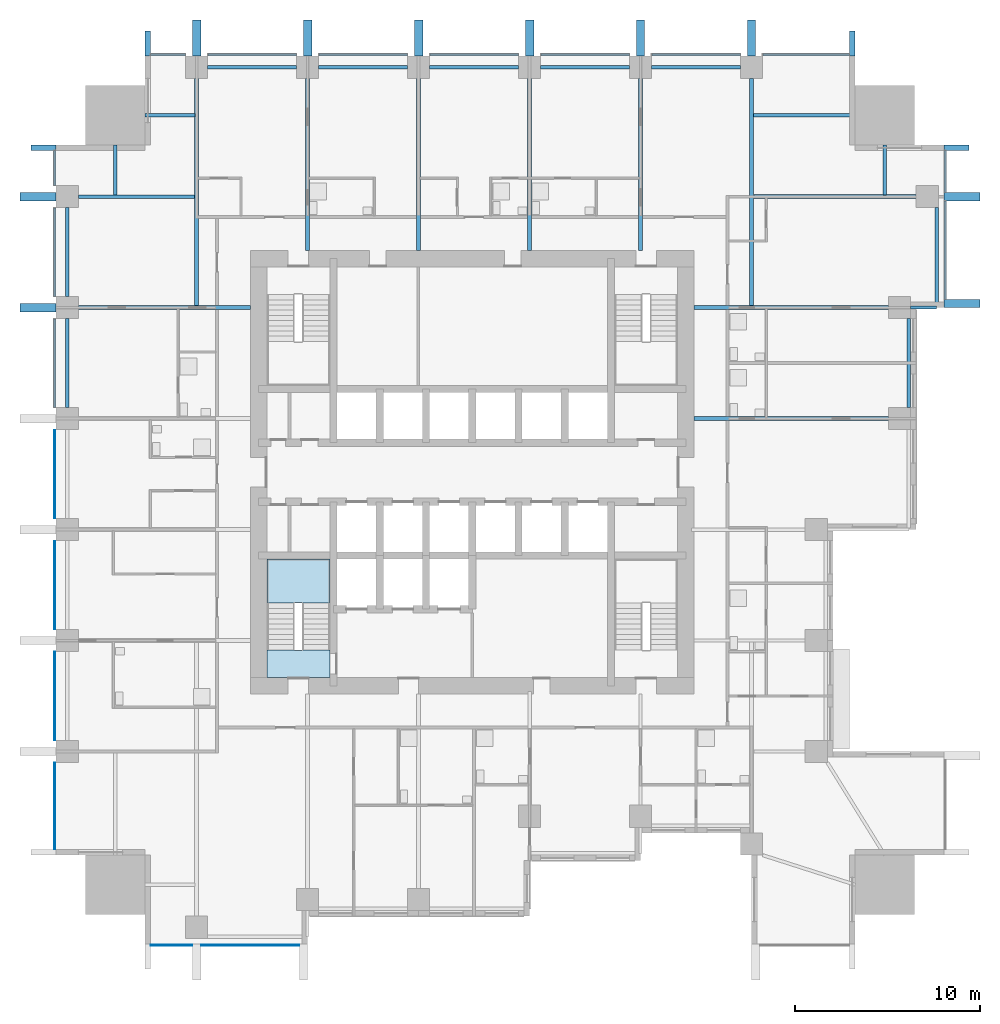
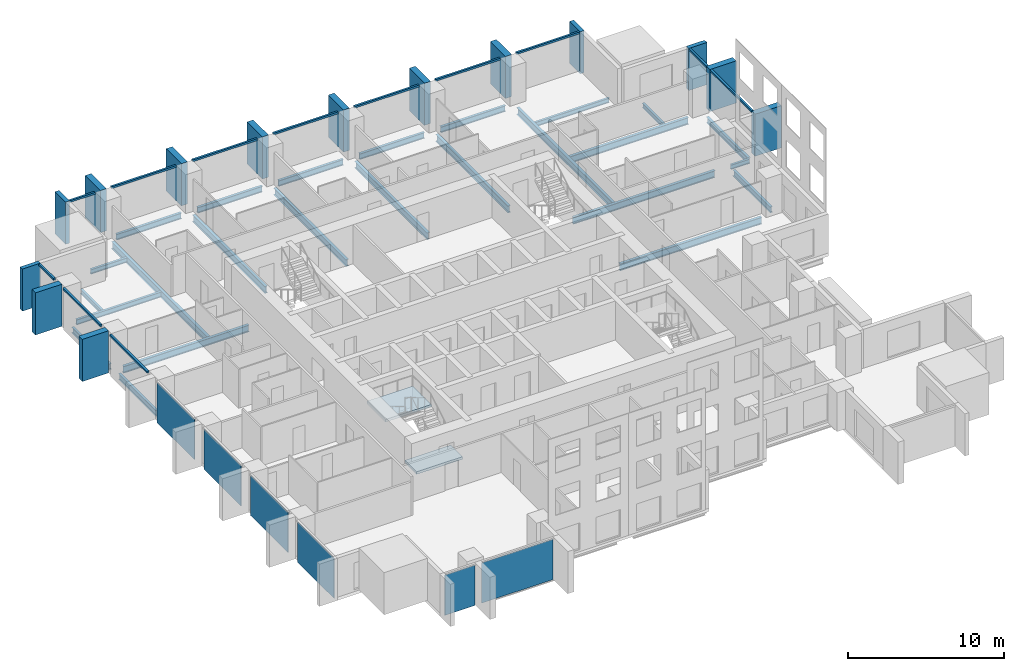
# One storey, part 2 of 11: 26 members, 25 beams, 6 plates, 2 slabs, 5 elements without a shape of their own.
"""IFC4 building model written with IfcOpenShell, lengths in metres."""

import ifcopenshell
import ifcopenshell.guid

model = None  # the IFC model being written
_history = None  # IfcOwnerHistory: only IFC2X3 demands one
_inside = {}  # id of a spatial element -> (the spatial element, [elements in it])
_under = {}  # id of a project, library or spatial element -> (it, [spatial elements below it])
_declared = {}  # id of a project -> (the project, [libraries it declares])
_typed = {}  # id of a type object -> (the type object, [elements of that type])
_made_of = {}  # id of a material, layer set ... -> (it, [elements and type objects made of it])


def new_model(schema):
    """Start an empty IFC model of exactly this schema.

    Asked for "IFC4X3", IfcOpenShell would pick the latest addendum, in which some entities
    have other attributes; the version numbers below select the first issue.
    IFC2X3 requires an IfcOwnerHistory on every rooted entity: one is made here for all.
    """
    global model, _history
    if schema == "IFC4X3":
        model = ifcopenshell.file(schema_version=(4, 3, 0, 0))
    else:
        model = ifcopenshell.file(schema=schema)
    _inside.clear()
    _under.clear()
    _declared.clear()
    _typed.clear()
    _made_of.clear()
    _history = None
    if model.schema == "IFC2X3":
        org = make("IfcOrganization", Name="unknown")
        user = make(
            "IfcPersonAndOrganization",
            ThePerson=make("IfcPerson", FamilyName="unknown"),
            TheOrganization=org,
        )
        app = make(
            "IfcApplication",
            ApplicationDeveloper=org,
            Version="unknown",
            ApplicationFullName="unknown",
            ApplicationIdentifier="unknown",
        )
        _history = make(
            "IfcOwnerHistory",
            OwningUser=user,
            OwningApplication=app,
            ChangeAction="ADDED",
            CreationDate=0,
        )
    return model


def make(cls, **values):
    """One entity of the class cls with the attributes given. An attribute that is None is left unset."""
    return model.create_entity(
        cls, **{name: value for name, value in values.items() if value is not None}
    )


def rooted(cls, **values):
    """An entity with a GlobalId (a new one), such as an element, a storey or a relation."""
    return make(cls, GlobalId=ifcopenshell.guid.new(), OwnerHistory=_history, **values)


def si_unit(unit_type, name, prefix=None):
    """IfcSIUnit, for example si_unit("LENGTHUNIT", "METRE", prefix="MILLI")."""
    return make("IfcSIUnit", UnitType=unit_type, Prefix=prefix, Name=name)


def assignment(units):
    """IfcUnitAssignment: the units of a project."""
    return None if units is None else make("IfcUnitAssignment", Units=units)


def point(xyz):
    """IfcCartesianPoint."""
    return None if xyz is None else make("IfcCartesianPoint", Coordinates=xyz)


def direction(xyz):
    """IfcDirection."""
    return None if xyz is None else make("IfcDirection", DirectionRatios=xyz)


def frame(location, z_axis=None, x_axis=None):
    """IfcAxis2Placement3D, a coordinate frame: its origin and axes. An axis left out is left unset."""
    return make(
        "IfcAxis2Placement3D",
        Location=point(location),
        Axis=direction(z_axis),
        RefDirection=direction(x_axis),
    )


def frame_2d(location, x_axis=None):
    """IfcAxis2Placement2D, a coordinate frame in the plane: its origin and x axis."""
    return make(
        "IfcAxis2Placement2D", Location=point(location), RefDirection=direction(x_axis)
    )


def origin():
    """The frame at (0, 0, 0) with its axes left unset."""
    return frame((0.0, 0.0, 0.0))


def origin_2d():
    """The frame at (0, 0) in the plane with its x axis left unset."""
    return frame_2d((0.0, 0.0))


def place(relative_to, where):
    """IfcLocalPlacement: puts the frame where relative to a parent placement (None: the world)."""
    return make(
        "IfcLocalPlacement", PlacementRelTo=relative_to, RelativePlacement=where
    )


def context(
    kind, dimensions, precision=None, world=None, true_north=None, identifier=None
):
    """IfcGeometricRepresentationContext, for example the 3D "Model" context."""
    return make(
        "IfcGeometricRepresentationContext",
        ContextIdentifier=identifier,
        ContextType=kind,
        CoordinateSpaceDimension=dimensions,
        Precision=precision,
        WorldCoordinateSystem=world,
        TrueNorth=true_north,
    )


def subcontext(parent, identifier, kind, view, scale=None):
    """IfcGeometricRepresentationSubContext, for example "Body" below "Model"."""
    return make(
        "IfcGeometricRepresentationSubContext",
        ContextIdentifier=identifier,
        ContextType=kind,
        ParentContext=parent,
        TargetScale=scale,
        TargetView=view,
    )


def project(units=None, contexts=None):
    """IfcProject with its units and contexts."""
    return rooted(
        "IfcProject",
        Name="project",
        RepresentationContexts=contexts,
        UnitsInContext=assignment(units),
    )


def spatial(cls, under=None, at=None, **own):
    """A site, building, storey or space (cls), placed at a placement, below another one or the project."""
    s = rooted(cls, ObjectPlacement=at, **own)
    if under is not None:
        _under.setdefault(under.id(), (under, []))[1].append(s)
    return s


def polyline(points):
    """IfcPolyline through the points."""
    return make("IfcPolyline", Points=[point(p) for p in points])


def profile(cls, at=None, kind="AREA", **sizes):
    """A parametric profile (cls). Its sizes go by their IFC names, for example OverallWidth=200.0."""
    return make(cls, ProfileType=kind, Position=at, **sizes)


def rectangle(**sizes):
    """IfcRectangleProfileDef."""
    return profile("IfcRectangleProfileDef", **sizes)


def i_section(**sizes):
    """IfcIShapeProfileDef."""
    return profile("IfcIShapeProfileDef", **sizes)


def outline(outer, holes=None, kind="AREA"):
    """IfcArbitraryClosedProfileDef: a profile drawn as a closed curve; with holes, ...WithVoids."""
    if holes is None:
        return make("IfcArbitraryClosedProfileDef", ProfileType=kind, OuterCurve=outer)
    return make(
        "IfcArbitraryProfileDefWithVoids",
        ProfileType=kind,
        OuterCurve=outer,
        InnerCurves=holes,
    )


def extrude(swept, where, along, depth):
    """IfcExtrudedAreaSolid: the profile swept, set in the frame where, extruded along a direction by depth."""
    return make(
        "IfcExtrudedAreaSolid",
        SweptArea=swept,
        Position=where,
        ExtrudedDirection=direction(along),
        Depth=depth,
    )


def shape(context_of_items, identifier, shape_type, items):
    """IfcShapeRepresentation: the items that make up one representation, for example the "Body"."""
    return make(
        "IfcShapeRepresentation",
        ContextOfItems=context_of_items,
        RepresentationIdentifier=identifier,
        RepresentationType=shape_type,
        Items=items,
    )


def material(Name=None, Category=None):
    """IfcMaterial."""
    return make("IfcMaterial", Name=Name, Category=Category)


def layer(
    of_material, thickness, ventilated=None, Name=None, Category=None, Priority=None
):
    """IfcMaterialLayer: one layer of a wall or slab, of a material (None: an air gap)."""
    return make(
        "IfcMaterialLayer",
        Material=of_material,
        LayerThickness=thickness,
        IsVentilated=ventilated,
        Name=Name,
        Category=Category,
        Priority=Priority,
    )


def layer_set(layers, Name=None):
    """IfcMaterialLayerSet."""
    return make("IfcMaterialLayerSet", MaterialLayers=layers, LayerSetName=Name)


def material_profile(
    of_material, cross_section, Name=None, Category=None, Priority=None
):
    """IfcMaterialProfile: a cross section and its material."""
    return make(
        "IfcMaterialProfile",
        Name=Name,
        Material=of_material,
        Profile=cross_section,
        Priority=Priority,
        Category=Category,
    )


def profile_set(profiles, Name=None, composite=None):
    """IfcMaterialProfileSet."""
    return make(
        "IfcMaterialProfileSet",
        Name=Name,
        MaterialProfiles=profiles,
        CompositeProfile=composite,
    )


def made_of(thing, what):
    """Note that an element or type object is made of a material, layer set ...; save() writes the relation."""
    if what is not None:
        _made_of.setdefault(what.id(), (what, []))[1].append(thing)
    return thing


def type_object(cls, material=None, **own):
    """A type object (cls), such as IfcWallType, which elements share."""
    return made_of(rooted(cls, **own), material)


def element(
    cls,
    number,
    at=None,
    inside=None,
    cuts=None,
    type_object=None,
    material=None,
    context=None,
    identifier="Body",
    shape_type=None,
    held_by="IfcProductDefinitionShape",
    body=None,
    shapes=None,
    **own,
):
    """One element of the class cls, such as IfcWall. Its Tag is "e" and its number.

    at: its placement. inside: the storey or other place that contains it. cuts: it is an
    opening in that element (IfcRelVoidsElement). A single representation is given by context,
    identifier, shape_type and body (its items); several are given by shapes. held_by: the class
    of the entity that holds the representations. save() writes the other relations.
    """
    e = rooted(cls, Tag="e%d" % number, ObjectPlacement=at, **own)
    if body is not None:
        shapes = [shape(context, identifier, shape_type, body)]
    if shapes is not None:
        e.Representation = make(held_by, Representations=shapes)
    if inside is not None:
        _inside.setdefault(inside.id(), (inside, []))[1].append(e)
    if cuts is not None:
        rooted(
            "IfcRelVoidsElement", RelatingBuildingElement=cuts, RelatedOpeningElement=e
        )
    if type_object is not None:
        _typed.setdefault(type_object.id(), (type_object, []))[1].append(e)
    return made_of(e, material)


def aggregate(whole, parts):
    """IfcRelAggregates: a whole, such as a stair, and the parts it consists of."""
    return rooted("IfcRelAggregates", RelatingObject=whole, RelatedObjects=parts)


def save(model, path):
    """Write the relations noted so far, then the file.

    IfcRelAggregates (storeys below a building ...), IfcRelContainedInSpatialStructure (elements
    in a storey), IfcRelDefinesByType, IfcRelAssociatesMaterial and IfcRelDeclares: one each for
    every whole, place, type object, material and project.
    """
    for whole, parts in _under.values():
        aggregate(whole, parts)
    for where, things in _inside.values():
        rooted(
            "IfcRelContainedInSpatialStructure",
            RelatedElements=things,
            RelatingStructure=where,
        )
    for kind, things in _typed.values():
        rooted("IfcRelDefinesByType", RelatedObjects=things, RelatingType=kind)
    for what, things in _made_of.values():
        rooted("IfcRelAssociatesMaterial", RelatedObjects=things, RelatingMaterial=what)
    for by, libraries in _declared.values():
        rooted("IfcRelDeclares", RelatingContext=by, RelatedDefinitions=libraries)
    model.write(path)


model = new_model("IFC4")

# Units and contexts
model_context = context("Model", 3, precision=1e-05, world=origin(), true_north=direction((0.0, 1.0)))
body_context = subcontext(model_context, "Body", "Model", "MODEL_VIEW")
ifc_project = project(units=[si_unit("LENGTHUNIT", "METRE"), si_unit("AREAUNIT", "SQUARE_METRE"), si_unit("VOLUMEUNIT", "CUBIC_METRE"), si_unit("PLANEANGLEUNIT", "RADIAN"), si_unit("MASSUNIT", "GRAM", prefix="KILO")], contexts=[model_context])

# Site, building, storey
site_placement = place(None, origin())
site = spatial("IfcSite", under=ifc_project, at=site_placement, CompositionType="ELEMENT")
building_placement = place(site_placement, origin())
building = spatial("IfcBuilding", under=site, at=building_placement, Name="Amberfall Residences", CompositionType="ELEMENT")
storey_placement = place(building_placement, frame((0.0, 0.0, 59.800048828125)))
storey = spatial("IfcBuildingStorey", under=building, at=storey_placement, Name="L16", CompositionType="ELEMENT", Elevation=59.800048828125)

# Curtain wall, members
ifc_material_1 = material(Name="Bronze anodised aluminium and glass", Category="aluminium")
curtain_wall_type = type_object("IfcCurtainWallType", Name="Curtain wall CW1 tower unit", PredefinedType="USERDEFINED", material=ifc_material_1)
curtain_wall_1_placement = place(storey_placement, origin())
curtain_wall_1 = element("IfcCurtainWall", 1, at=curtain_wall_1_placement, inside=storey, type_object=curtain_wall_type, Name="Curtain wall L16 E E9", ObjectType="UNITISED CURTAIN WALL", PredefinedType="USERDEFINED")
ifc_material_2 = material(Name="Bronze anodised aluminium", Category="aluminium")
ifc_material_profile_1 = material_profile(ifc_material_2, rectangle(XDim=0.14990234375, YDim=0.14990234375, at=origin_2d()), Name="CW1 transom 150 x 150 bronze")
ifc_profile_set_1 = profile_set([ifc_material_profile_1], Name="Bronze anodised aluminium")
member_type_1 = type_object("IfcMemberType", Name="CW1 transom 150 x 150 bronze", PredefinedType="USERDEFINED", material=ifc_profile_set_1)
member_1_placement = place(storey_placement, frame((100.074951171875, 54.85009765625, 2.974853515625), z_axis=(0.0, 1.0, 0.0), x_axis=(-1.0, 0.0, 0.0)))
member_1 = element("IfcMember", 2, at=member_1_placement, type_object=member_type_1, Name="CW1 transom 1.1", ObjectType="TRANSOM", PredefinedType="USERDEFINED", context=body_context, shape_type="SweptSolid", body=[
    extrude(rectangle(XDim=0.14990234375, YDim=0.14990234375, at=origin_2d()), origin(), (0.0, 0.0, 1.0), 5.324951171875),
])
member_2_placement = place(storey_placement, frame((100.074951171875, 60.625, 2.974853515625), z_axis=(0.0, 1.0, 0.0), x_axis=(-1.0, 0.0, 0.0)))
member_2 = element("IfcMember", 3, at=member_2_placement, type_object=member_type_1, Name="CW1 transom 2.1", ObjectType="TRANSOM", PredefinedType="USERDEFINED", context=body_context, shape_type="SweptSolid", body=[
    extrude(rectangle(XDim=0.14990234375, YDim=0.14990234375, at=origin_2d()), origin(), (0.0, 0.0, 1.0), 2.27490234375),
])

curtain_wall_2_placement = place(storey_placement, origin())
curtain_wall_2 = element("IfcCurtainWall", 4, at=curtain_wall_2_placement, inside=storey, type_object=curtain_wall_type, Name="Curtain wall L16 N N1", ObjectType="UNITISED CURTAIN WALL", PredefinedType="USERDEFINED")
member_3_placement = place(storey_placement, frame((94.89990234375, 68.074951171875, 2.974853515625), z_axis=(-1.0, 0.0, 0.0), x_axis=(0.0, -1.0, 0.0)))
member_3 = element("IfcMember", 5, at=member_3_placement, type_object=member_type_1, Name="CW1 transom 1.1", ObjectType="TRANSOM", PredefinedType="USERDEFINED", context=body_context, shape_type="SweptSolid", body=[
    extrude(rectangle(XDim=0.14990234375, YDim=0.14990234375, at=origin_2d()), origin(), (0.0, 0.0, 1.0), 4.69482421875),
])
member_4_placement = place(storey_placement, frame((88.9951171875, 68.074951171875, 2.974853515625), z_axis=(-1.0, 0.0, 0.0), x_axis=(0.0, -1.0, 0.0)))
member_4 = element("IfcMember", 6, at=member_4_placement, type_object=member_type_1, Name="CW1 transom 2.1", ObjectType="TRANSOM", PredefinedType="USERDEFINED", context=body_context, shape_type="SweptSolid", body=[
    extrude(rectangle(XDim=0.14990234375, YDim=0.14990234375, at=origin_2d()), origin(), (0.0, 0.0, 1.0), 4.7900390625),
])
member_5_placement = place(storey_placement, frame((82.9951171875, 68.074951171875, 2.974853515625), z_axis=(-1.0, 0.0, 0.0), x_axis=(0.0, -1.0, 0.0)))
member_5 = element("IfcMember", 7, at=member_5_placement, type_object=member_type_1, Name="CW1 transom 3.1", ObjectType="TRANSOM", PredefinedType="USERDEFINED", context=body_context, shape_type="SweptSolid", body=[
    extrude(rectangle(XDim=0.14990234375, YDim=0.14990234375, at=origin_2d()), origin(), (0.0, 0.0, 1.0), 4.7900390625),
])
member_6_placement = place(storey_placement, frame((76.9951171875, 68.074951171875, 2.974853515625), z_axis=(-1.0, 0.0, 0.0), x_axis=(0.0, -1.0, 0.0)))
member_6 = element("IfcMember", 8, at=member_6_placement, type_object=member_type_1, Name="CW1 transom 4.1", ObjectType="TRANSOM", PredefinedType="USERDEFINED", context=body_context, shape_type="SweptSolid", body=[
    extrude(rectangle(XDim=0.14990234375, YDim=0.14990234375, at=origin_2d()), origin(), (0.0, 0.0, 1.0), 4.7900390625),
])
member_7_placement = place(storey_placement, frame((70.9951171875, 68.074951171875, 2.974853515625), z_axis=(-1.0, 0.0, 0.0), x_axis=(0.0, -1.0, 0.0)))
member_7 = element("IfcMember", 9, at=member_7_placement, type_object=member_type_1, Name="CW1 transom 5.1", ObjectType="TRANSOM", PredefinedType="USERDEFINED", context=body_context, shape_type="SweptSolid", body=[
    extrude(rectangle(XDim=0.14990234375, YDim=0.14990234375, at=origin_2d()), origin(), (0.0, 0.0, 1.0), 4.7900390625),
])
member_8_placement = place(storey_placement, frame((64.9951171875, 68.074951171875, 2.974853515625), z_axis=(-1.0, 0.0, 0.0), x_axis=(0.0, -1.0, 0.0)))
member_8 = element("IfcMember", 10, at=member_8_placement, type_object=member_type_1, Name="CW1 transom 6.1", ObjectType="TRANSOM", PredefinedType="USERDEFINED", context=body_context, shape_type="SweptSolid", body=[
    extrude(rectangle(XDim=0.14990234375, YDim=0.14990234375, at=origin_2d()), origin(), (0.0, 0.0, 1.0), 4.7900390625),
])
member_9_placement = place(storey_placement, frame((58.9951171875, 68.074951171875, 2.974853515625), z_axis=(-1.0, 0.0, 0.0), x_axis=(0.0, -1.0, 0.0)))
member_9 = element("IfcMember", 11, at=member_9_placement, type_object=member_type_1, Name="CW1 transom 7.1", ObjectType="TRANSOM", PredefinedType="USERDEFINED", context=body_context, shape_type="SweptSolid", body=[
    extrude(rectangle(XDim=0.14990234375, YDim=0.14990234375, at=origin_2d()), origin(), (0.0, 0.0, 1.0), 1.89501953125),
])

curtain_wall_3_placement = place(storey_placement, origin())
curtain_wall_3 = element("IfcCurtainWall", 12, at=curtain_wall_3_placement, inside=storey, type_object=curtain_wall_type, Name="Curtain wall L16 W W1", ObjectType="UNITISED CURTAIN WALL", PredefinedType="USERDEFINED")
member_10_placement = place(storey_placement, frame((51.925048828125, 62.89990234375, 2.974853515625), z_axis=(0.0, -1.0, 0.0), x_axis=(1.0, 0.0, 0.0)))
member_10 = element("IfcMember", 13, at=member_10_placement, type_object=member_type_1, Name="CW1 transom 1.1", ObjectType="TRANSOM", PredefinedType="USERDEFINED", context=body_context, shape_type="SweptSolid", body=[
    extrude(rectangle(XDim=0.14990234375, YDim=0.14990234375, at=origin_2d()), origin(), (0.0, 0.0, 1.0), 1.89501953125),
])
member_11_placement = place(storey_placement, frame((51.925048828125, 59.794921875, 2.974853515625), z_axis=(0.0, -1.0, 0.0), x_axis=(1.0, 0.0, 0.0)))
member_11 = element("IfcMember", 14, at=member_11_placement, type_object=member_type_1, Name="CW1 transom 2.1", ObjectType="TRANSOM", PredefinedType="USERDEFINED", context=body_context, shape_type="SweptSolid", body=[
    extrude(rectangle(XDim=0.14990234375, YDim=0.14990234375, at=origin_2d()), origin(), (0.0, 0.0, 1.0), 4.7900390625),
])
member_12_placement = place(storey_placement, frame((51.925048828125, 53.794921875, 2.974853515625), z_axis=(0.0, -1.0, 0.0), x_axis=(1.0, 0.0, 0.0)))
member_12 = element("IfcMember", 15, at=member_12_placement, type_object=member_type_1, Name="CW1 transom 3.1", ObjectType="TRANSOM", PredefinedType="USERDEFINED", context=body_context, shape_type="SweptSolid", body=[
    extrude(rectangle(XDim=0.14990234375, YDim=0.14990234375, at=origin_2d()), origin(), (0.0, 0.0, 1.0), 4.7900390625),
])

# Beam
ifc_material_3 = material(Name="Steel S355", Category="steel")
ifc_material_profile_2 = material_profile(ifc_material_3, i_section(OverallWidth=0.171142578125, OverallDepth=0.351318359375, WebThickness=0.007080078125, FlangeThickness=0.009765625, FilletRadius=0.01025390625, at=origin_2d()), Name="UB 356x171x45")
ifc_profile_set_2 = profile_set([ifc_material_profile_2], Name="Steel S355")
beam_type_1 = type_object("IfcBeamType", Name="Cantilever girder UB 356x171x45", PredefinedType="BEAM", material=ifc_profile_set_2)
beam_1_placement = place(storey_placement, frame((98.199951171875, 54.39990234375, -0.42578125), z_axis=(1.0, 0.0, 0.0), x_axis=(0.0, 1.0, 0.0)))
element("IfcBeam", 16, at=beam_1_placement, inside=storey, type_object=beam_type_1, Name="Cantilever girder B8 L16 21", PredefinedType="BEAM", context=body_context, shape_type="SweptSolid", body=[
    extrude(i_section(OverallWidth=0.171142578125, OverallDepth=0.351318359375, WebThickness=0.007080078125, FlangeThickness=0.009765625, FilletRadius=0.01025390625, at=origin_2d()), origin(), (0.0, 0.0, 1.0), 1.400146484375),
])

# Member
ifc_material_profile_3 = material_profile(ifc_material_2, rectangle(XDim=1.35009765625, YDim=0.300048828125, at=origin_2d()), Name="Corner fin 300 x 1350 bronze")
ifc_profile_set_3 = profile_set([ifc_material_profile_3], Name="Bronze anodised aluminium")
member_type_2 = type_object("IfcMemberType", Name="Corner fin 300 x 1350 bronze", PredefinedType="MULLION", material=ifc_profile_set_3)
member_13_placement = place(storey_placement, frame((100.675048828125, 63.050048828125, -0.25), z_axis=(0.0, 0.0, 1.0), x_axis=(-1.0, 0.0, 0.0)))
member_13 = element("IfcMember", 17, at=member_13_placement, type_object=member_type_2, Name="CW FIN 3", PredefinedType="MULLION", context=body_context, shape_type="SweptSolid", body=[
    extrude(rectangle(XDim=1.35009765625, YDim=0.300048828125, at=origin_2d()), origin(), (0.0, 0.0, 1.0), 3.300048828125),
])

member_14_placement = place(storey_placement, frame((95.050048828125, 68.675048828125, -0.25), z_axis=(0.0, 0.0, 1.0), x_axis=(0.0, -1.0, 0.0)))
member_14 = element("IfcMember", 18, at=member_14_placement, type_object=member_type_2, Name="CW FIN 1", PredefinedType="MULLION", context=body_context, shape_type="SweptSolid", body=[
    extrude(rectangle(XDim=1.35009765625, YDim=0.300048828125, at=origin_2d()), origin(), (0.0, 0.0, 1.0), 3.300048828125),
])

member_15_placement = place(storey_placement, frame((56.949951171875, 68.675048828125, -0.25), z_axis=(0.0, 0.0, 1.0), x_axis=(0.0, -1.0, 0.0)))
member_15 = element("IfcMember", 19, at=member_15_placement, type_object=member_type_2, Name="CW FIN 8", PredefinedType="MULLION", context=body_context, shape_type="SweptSolid", body=[
    extrude(rectangle(XDim=1.35009765625, YDim=0.300048828125, at=origin_2d()), origin(), (0.0, 0.0, 1.0), 3.300048828125),
])

member_16_placement = place(storey_placement, frame((51.324951171875, 63.050048828125, -0.25), z_axis=(0.0, 0.0, 1.0), x_axis=(1.0, 0.0, 0.0)))
member_16 = element("IfcMember", 20, at=member_16_placement, type_object=member_type_2, Name="CW FIN 1", PredefinedType="MULLION", context=body_context, shape_type="SweptSolid", body=[
    extrude(rectangle(XDim=1.35009765625, YDim=0.300048828125, at=origin_2d()), origin(), (0.0, 0.0, 1.0), 3.300048828125),
])

# Beams
ifc_material_profile_4 = material_profile(ifc_material_3, i_section(OverallWidth=0.18994140625, OverallDepth=0.453369140625, WebThickness=0.008544921875, FlangeThickness=0.0126953125, FilletRadius=0.01025390625, at=origin_2d()), Name="UB 457x191x67")
ifc_profile_set_4 = profile_set([ifc_material_profile_4], Name="Steel S355")
beam_type_2 = type_object("IfcBeamType", Name="Edge beam UB 457x191x67", PredefinedType="SPANDREL", material=ifc_profile_set_4)
beam_2_placement = place(storey_placement, frame((98.10009765625, 49.0, -0.476806640625), z_axis=(0.0, 1.0, 0.0), x_axis=(-1.0, 0.0, 0.0)))
element("IfcBeam", 21, at=beam_2_placement, inside=storey, type_object=beam_type_2, Name="Edge beam B1 L16 18", PredefinedType="SPANDREL", context=body_context, shape_type="SweptSolid", body=[
    extrude(i_section(OverallWidth=0.18994140625, OverallDepth=0.453369140625, WebThickness=0.008544921875, FlangeThickness=0.0126953125, FilletRadius=0.01025390625, at=origin_2d()), origin(), (0.0, 0.0, 1.0), 4.800048828125),
])
beam_3_placement = place(storey_placement, frame((99.60009765625, 54.47998046875, -0.476806640625), z_axis=(0.0, 1.0, 0.0), x_axis=(-1.0, 0.0, 0.0)))
element("IfcBeam", 22, at=beam_3_placement, inside=storey, type_object=beam_type_2, Name="Edge beam B1 L16 19", PredefinedType="SPANDREL", context=body_context, shape_type="SweptSolid", body=[
    extrude(i_section(OverallWidth=0.18994140625, OverallDepth=0.453369140625, WebThickness=0.008544921875, FlangeThickness=0.0126953125, FilletRadius=0.01025390625, at=origin_2d()), origin(), (0.0, 0.0, 1.0), 5.320068359375),
])
for number, where, z_axis, x_axis, name in (
    (23, (60.199951171875, 67.39990234375, -0.476806640625), (1.0, 0.0, 0.0), (0.0, 1.0, 0.0), "Edge beam B1 L16 28"),
    (24, (66.199951171875, 67.39990234375, -0.476806640625), (1.0, 0.0, 0.0), (0.0, 1.0, 0.0), "Edge beam B1 L16 29"),
    (25, (72.199951171875, 67.39990234375, -0.476806640625), (1.0, 0.0, 0.0), (0.0, 1.0, 0.0), "Edge beam B1 L16 30"),
    (26, (78.199951171875, 67.39990234375, -0.476806640625), (1.0, 0.0, 0.0), (0.0, 1.0, 0.0), "Edge beam B1 L16 31"),
    (27, (84.199951171875, 67.39990234375, -0.476806640625), (1.0, 0.0, 0.0), (0.0, 1.0, 0.0), "Edge beam B1 L16 32"),
    (28, (52.60009765625, 49.0, -0.476806640625), (0.0, 1.0, 0.0), (-1.0, 0.0, 0.0), "Edge beam B1 L16 42"),
    (29, (52.60009765625, 55.0, -0.476806640625), (0.0, 1.0, 0.0), (-1.0, 0.0, 0.0), "Edge beam B1 L16 43"),
):
    element("IfcBeam", number, at=place(storey_placement, frame(where, z_axis=z_axis, x_axis=x_axis)), inside=storey, type_object=beam_type_2, Name=name, PredefinedType="SPANDREL", context=body_context, shape_type="SweptSolid", body=[
        extrude(i_section(OverallWidth=0.18994140625, OverallDepth=0.453369140625, WebThickness=0.008544921875, FlangeThickness=0.0126953125, FilletRadius=0.01025390625, at=origin_2d()), origin(), (0.0, 0.0, 1.0), 4.800048828125),
    ])

# Member
ifc_material_profile_5 = material_profile(ifc_material_2, rectangle(XDim=1.949951171875, YDim=0.449951171875, at=origin_2d()), Name="Fin 450 x 1950 bronze")
ifc_profile_set_5 = profile_set([ifc_material_profile_5], Name="Bronze anodised aluminium")
member_type_3 = type_object("IfcMemberType", Name="Fin 450 x 1950 bronze", PredefinedType="MULLION", material=ifc_profile_set_5)
member_17_placement = place(storey_placement, frame((100.97509765625, 54.625, -0.25), z_axis=(0.0, 0.0, 1.0), x_axis=(-1.0, 0.0, 0.0)))
member_17 = element("IfcMember", 30, at=member_17_placement, type_object=member_type_3, Name="CW FIN 1", PredefinedType="MULLION", context=body_context, shape_type="SweptSolid", body=[
    extrude(rectangle(XDim=1.949951171875, YDim=0.449951171875, at=origin_2d()), origin(), (0.0, 0.0, 1.0), 3.300048828125),
])

member_18_placement = place(storey_placement, frame((100.97509765625, 60.39990234375, -0.25), z_axis=(0.0, 0.0, 1.0), x_axis=(-1.0, 0.0, 0.0)))
member_18 = element("IfcMember", 31, at=member_18_placement, type_object=member_type_3, Name="CW FIN 2", PredefinedType="MULLION", context=body_context, shape_type="SweptSolid", body=[
    extrude(rectangle(XDim=1.949951171875, YDim=0.449951171875, at=origin_2d()), origin(), (0.0, 0.0, 1.0), 3.300048828125),
])

aggregate(curtain_wall_1, [member_17, member_18, member_13, member_1, member_2])

member_19_placement = place(storey_placement, frame((89.60009765625, 68.97509765625, -0.25), z_axis=(0.0, 0.0, 1.0), x_axis=(0.0, -1.0, 0.0)))
member_19 = element("IfcMember", 32, at=member_19_placement, type_object=member_type_3, Name="CW FIN 2", PredefinedType="MULLION", context=body_context, shape_type="SweptSolid", body=[
    extrude(rectangle(XDim=1.949951171875, YDim=0.449951171875, at=origin_2d()), origin(), (0.0, 0.0, 1.0), 3.300048828125),
])

member_20_placement = place(storey_placement, frame((83.60009765625, 68.97509765625, -0.25), z_axis=(0.0, 0.0, 1.0), x_axis=(0.0, -1.0, 0.0)))
member_20 = element("IfcMember", 33, at=member_20_placement, type_object=member_type_3, Name="CW FIN 3", PredefinedType="MULLION", context=body_context, shape_type="SweptSolid", body=[
    extrude(rectangle(XDim=1.949951171875, YDim=0.449951171875, at=origin_2d()), origin(), (0.0, 0.0, 1.0), 3.300048828125),
])

member_21_placement = place(storey_placement, frame((77.60009765625, 68.97509765625, -0.25), z_axis=(0.0, 0.0, 1.0), x_axis=(0.0, -1.0, 0.0)))
member_21 = element("IfcMember", 34, at=member_21_placement, type_object=member_type_3, Name="CW FIN 4", PredefinedType="MULLION", context=body_context, shape_type="SweptSolid", body=[
    extrude(rectangle(XDim=1.949951171875, YDim=0.449951171875, at=origin_2d()), origin(), (0.0, 0.0, 1.0), 3.300048828125),
])

member_22_placement = place(storey_placement, frame((71.60009765625, 68.97509765625, -0.25), z_axis=(0.0, 0.0, 1.0), x_axis=(0.0, -1.0, 0.0)))
member_22 = element("IfcMember", 35, at=member_22_placement, type_object=member_type_3, Name="CW FIN 5", PredefinedType="MULLION", context=body_context, shape_type="SweptSolid", body=[
    extrude(rectangle(XDim=1.949951171875, YDim=0.449951171875, at=origin_2d()), origin(), (0.0, 0.0, 1.0), 3.300048828125),
])

member_23_placement = place(storey_placement, frame((65.60009765625, 68.97509765625, -0.25), z_axis=(0.0, 0.0, 1.0), x_axis=(0.0, -1.0, 0.0)))
member_23 = element("IfcMember", 36, at=member_23_placement, type_object=member_type_3, Name="CW FIN 6", PredefinedType="MULLION", context=body_context, shape_type="SweptSolid", body=[
    extrude(rectangle(XDim=1.949951171875, YDim=0.449951171875, at=origin_2d()), origin(), (0.0, 0.0, 1.0), 3.300048828125),
])

member_24_placement = place(storey_placement, frame((59.60009765625, 68.97509765625, -0.25), z_axis=(0.0, 0.0, 1.0), x_axis=(0.0, -1.0, 0.0)))
member_24 = element("IfcMember", 37, at=member_24_placement, type_object=member_type_3, Name="CW FIN 7", PredefinedType="MULLION", context=body_context, shape_type="SweptSolid", body=[
    extrude(rectangle(XDim=1.949951171875, YDim=0.449951171875, at=origin_2d()), origin(), (0.0, 0.0, 1.0), 3.300048828125),
])

aggregate(curtain_wall_2, [member_14, member_19, member_20, member_21, member_22, member_23, member_24, member_15, member_3, member_4, member_5, member_6, member_7, member_8, member_9])

member_25_placement = place(storey_placement, frame((51.02490234375, 60.39990234375, -0.25), z_axis=(0.0, 0.0, 1.0), x_axis=(1.0, 0.0, 0.0)))
member_25 = element("IfcMember", 38, at=member_25_placement, type_object=member_type_3, Name="CW FIN 2", PredefinedType="MULLION", context=body_context, shape_type="SweptSolid", body=[
    extrude(rectangle(XDim=1.949951171875, YDim=0.449951171875, at=origin_2d()), origin(), (0.0, 0.0, 1.0), 3.300048828125),
])

member_26_placement = place(storey_placement, frame((51.02490234375, 54.39990234375, -0.25), z_axis=(0.0, 0.0, 1.0), x_axis=(1.0, 0.0, 0.0)))
member_26 = element("IfcMember", 39, at=member_26_placement, type_object=member_type_3, Name="CW FIN 3", PredefinedType="MULLION", context=body_context, shape_type="SweptSolid", body=[
    extrude(rectangle(XDim=1.949951171875, YDim=0.449951171875, at=origin_2d()), origin(), (0.0, 0.0, 1.0), 3.300048828125),
])

# Beams
ifc_material_profile_6 = material_profile(ifc_material_3, i_section(OverallWidth=0.177734375, OverallDepth=0.402587890625, WebThickness=0.0078125, FlangeThickness=0.010986328125, FilletRadius=0.01025390625, at=origin_2d()), Name="UB 406x178x54")
ifc_profile_set_6 = profile_set([ifc_material_profile_6], Name="Steel S355")
beam_type_3 = type_object("IfcBeamType", Name="Floor girder UB 406x178x54", PredefinedType="BEAM", material=ifc_profile_set_6)
beam_4_placement = place(storey_placement, frame((53.199951171875, 60.39990234375, -0.451416015625), z_axis=(1.0, 0.0, 0.0), x_axis=(0.0, 1.0, 0.0)))
element("IfcBeam", 40, at=beam_4_placement, inside=storey, type_object=beam_type_3, Name="Floor girder B4 L16 49", PredefinedType="BEAM", context=body_context, shape_type="SweptSolid", body=[
    extrude(i_section(OverallWidth=0.177734375, OverallDepth=0.402587890625, WebThickness=0.0078125, FlangeThickness=0.010986328125, FilletRadius=0.01025390625, at=origin_2d()), origin(), (0.0, 0.0, 1.0), 6.280029296875),
])
ifc_material_profile_7 = material_profile(ifc_material_3, i_section(OverallWidth=0.210693359375, OverallDepth=0.53955078125, WebThickness=0.01171875, FlangeThickness=0.018798828125, FilletRadius=0.0126953125, at=origin_2d()), Name="UB 533x210x109")
ifc_profile_set_7 = profile_set([ifc_material_profile_7], Name="Steel S355")
beam_type_4 = type_object("IfcBeamType", Name="Floor girder UB 533x210x109", PredefinedType="BEAM", material=ifc_profile_set_7)
for number, where, z_axis, x_axis, name in (
    (41, (59.60009765625, 66.800048828125, -0.519775390625), (0.0, -1.0, 0.0), (1.0, 0.0, 0.0), "Floor girder B2 L16 33"),
    (42, (89.60009765625, 66.800048828125, -0.519775390625), (0.0, -1.0, 0.0), (1.0, 0.0, 0.0), "Floor girder B2 L16 38"),
):
    element("IfcBeam", number, at=place(storey_placement, frame(where, z_axis=z_axis, x_axis=x_axis)), inside=storey, type_object=beam_type_4, Name=name, PredefinedType="BEAM", context=body_context, shape_type="SweptSolid", body=[
        extrude(i_section(OverallWidth=0.210693359375, OverallDepth=0.53955078125, WebThickness=0.01171875, FlangeThickness=0.018798828125, FilletRadius=0.0126953125, at=origin_2d()), origin(), (0.0, 0.0, 1.0), 12.300537109375),
    ])
ifc_material_profile_8 = material_profile(ifc_material_3, i_section(OverallWidth=0.209228515625, OverallDepth=0.533203125, WebThickness=0.010009765625, FlangeThickness=0.015625, FilletRadius=0.0126953125, at=origin_2d()), Name="UB 533x210x92")
ifc_profile_set_8 = profile_set([ifc_material_profile_8], Name="Steel S355")
beam_type_5 = type_object("IfcBeamType", Name="Floor girder UB 533x210x92", PredefinedType="BEAM", material=ifc_profile_set_8)
for number, where, z_axis, x_axis, name in (
    (43, (97.0, 48.39990234375, -0.5166015625), (-1.0, 0.0, 0.0), (0.0, -1.0, 0.0), "Floor girder B3 L16 25"),
    (44, (97.0, 54.39990234375, -0.5166015625), (-1.0, 0.0, 0.0), (0.0, -1.0, 0.0), "Floor girder B3 L16 26"),
):
    element("IfcBeam", number, at=place(storey_placement, frame(where, z_axis=z_axis, x_axis=x_axis)), inside=storey, type_object=beam_type_5, Name=name, PredefinedType="BEAM", context=body_context, shape_type="SweptSolid", body=[
        extrude(i_section(OverallWidth=0.209228515625, OverallDepth=0.533203125, WebThickness=0.010009765625, FlangeThickness=0.015625, FilletRadius=0.0126953125, at=origin_2d()), origin(), (0.0, 0.0, 1.0), 10.5),
    ])
beam_5_placement = place(storey_placement, frame((98.5, 60.39990234375, -0.5166015625), z_axis=(-1.0, 0.0, 0.0), x_axis=(0.0, -1.0, 0.0)))
element("IfcBeam", 45, at=beam_5_placement, inside=storey, type_object=beam_type_5, Name="Floor girder B3 L16 27", PredefinedType="BEAM", context=body_context, shape_type="SweptSolid", body=[
    extrude(i_section(OverallWidth=0.209228515625, OverallDepth=0.533203125, WebThickness=0.010009765625, FlangeThickness=0.015625, FilletRadius=0.0126953125, at=origin_2d()), origin(), (0.0, 0.0, 1.0), 8.780029296875),
])
for number, where, z_axis, x_axis, name in (
    (46, (65.60009765625, 66.800048828125, -0.5166015625), (0.0, -1.0, 0.0), (1.0, 0.0, 0.0), "Floor girder B3 L16 34"),
    (47, (71.60009765625, 66.800048828125, -0.5166015625), (0.0, -1.0, 0.0), (1.0, 0.0, 0.0), "Floor girder B3 L16 35"),
    (48, (77.60009765625, 66.800048828125, -0.5166015625), (0.0, -1.0, 0.0), (1.0, 0.0, 0.0), "Floor girder B3 L16 36"),
    (49, (83.60009765625, 66.800048828125, -0.5166015625), (0.0, -1.0, 0.0), (1.0, 0.0, 0.0), "Floor girder B3 L16 37"),
    (50, (53.199951171875, 54.39990234375, -0.5166015625), (1.0, 0.0, 0.0), (0.0, 1.0, 0.0), "Floor girder B3 L16 48"),
):
    element("IfcBeam", number, at=place(storey_placement, frame(where, z_axis=z_axis, x_axis=x_axis)), inside=storey, type_object=beam_type_5, Name=name, PredefinedType="BEAM", context=body_context, shape_type="SweptSolid", body=[
        extrude(i_section(OverallWidth=0.209228515625, OverallDepth=0.533203125, WebThickness=0.010009765625, FlangeThickness=0.015625, FilletRadius=0.0126953125, at=origin_2d()), origin(), (0.0, 0.0, 1.0), 9.300048828125),
    ])
ifc_material_profile_9 = material_profile(ifc_material_3, i_section(OverallWidth=0.171142578125, OverallDepth=0.351318359375, WebThickness=0.007080078125, FlangeThickness=0.009765625, FilletRadius=0.01025390625, at=origin_2d()), Name="UB 356x171x45")
ifc_profile_set_9 = profile_set([ifc_material_profile_9], Name="Steel S355")
beam_type_6 = type_object("IfcBeamType", Name="Link beam UB 356x171x45", PredefinedType="BEAM", material=ifc_profile_set_9)
beam_6_placement = place(storey_placement, frame((95.199951171875, 64.800048828125, -0.42578125), z_axis=(-1.0, 0.0, 0.0), x_axis=(0.0, -1.0, 0.0)))
element("IfcBeam", 51, at=beam_6_placement, inside=storey, type_object=beam_type_6, Name="Link beam B7 L16 54", PredefinedType="BEAM", context=body_context, shape_type="SweptSolid", body=[
    extrude(i_section(OverallWidth=0.171142578125, OverallDepth=0.351318359375, WebThickness=0.007080078125, FlangeThickness=0.009765625, FilletRadius=0.01025390625, at=origin_2d()), origin(), (0.0, 0.0, 1.0), 5.504638671875),
])
beam_7_placement = place(storey_placement, frame((96.800048828125, 63.199951171875, -0.42578125), z_axis=(0.0, -1.0, 0.0), x_axis=(1.0, 0.0, 0.0)))
element("IfcBeam", 52, at=beam_7_placement, inside=storey, type_object=beam_type_6, Name="Link beam B7 L16 55", PredefinedType="BEAM", context=body_context, shape_type="SweptSolid", body=[
    extrude(i_section(OverallWidth=0.171142578125, OverallDepth=0.351318359375, WebThickness=0.007080078125, FlangeThickness=0.009765625, FilletRadius=0.01025390625, at=origin_2d()), origin(), (0.0, 0.0, 1.0), 2.705322265625),
])
beam_8_placement = place(storey_placement, frame((56.800048828125, 64.800048828125, -0.42578125), z_axis=(1.0, 0.0, 0.0), x_axis=(0.0, 1.0, 0.0)))
element("IfcBeam", 53, at=beam_8_placement, inside=storey, type_object=beam_type_6, Name="Link beam B7 L16 56", PredefinedType="BEAM", context=body_context, shape_type="SweptSolid", body=[
    extrude(i_section(OverallWidth=0.171142578125, OverallDepth=0.351318359375, WebThickness=0.007080078125, FlangeThickness=0.009765625, FilletRadius=0.01025390625, at=origin_2d()), origin(), (0.0, 0.0, 1.0), 2.70458984375),
])
beam_9_placement = place(storey_placement, frame((55.199951171875, 63.199951171875, -0.42578125), z_axis=(0.0, -1.0, 0.0), x_axis=(1.0, 0.0, 0.0)))
element("IfcBeam", 54, at=beam_9_placement, inside=storey, type_object=beam_type_6, Name="Link beam B7 L16 57", PredefinedType="BEAM", context=body_context, shape_type="SweptSolid", body=[
    extrude(i_section(OverallWidth=0.171142578125, OverallDepth=0.351318359375, WebThickness=0.007080078125, FlangeThickness=0.009765625, FilletRadius=0.01025390625, at=origin_2d()), origin(), (0.0, 0.0, 1.0), 2.720947265625),
])

# Curtain wall, plates
curtain_wall_4_placement = place(storey_placement, origin())
curtain_wall_4 = element("IfcCurtainWall", 55, at=curtain_wall_4_placement, inside=storey, type_object=curtain_wall_type, Name="Curtain wall L16 S S1", ObjectType="UNITISED CURTAIN WALL", PredefinedType="USERDEFINED")
ifc_material_4 = material(Name="Tinted double glazed unit", Category="glass")
ifc_layer_1 = layer(ifc_material_4, 0.035888671875)
ifc_layer_set_1 = layer_set([ifc_layer_1], Name="CW1 panel 36 glazing")
plate_type = type_object("IfcPlateType", Name="CW1 panel 36 glazing", PredefinedType="CURTAIN_PANEL", material=ifc_layer_set_1)
plate_1_placement = place(storey_placement, frame((58.237548828125, 19.925048828125, -0.25), z_axis=(0.0, 0.0, 1.0), x_axis=(1.0, 0.0, 0.0)))
plate_1 = element("IfcPlate", 56, at=plate_1_placement, type_object=plate_type, Name="CW1 panel 1.1", PredefinedType="CURTAIN_PANEL", context=body_context, shape_type="SweptSolid", body=[
    extrude(rectangle(XDim=2.2509765625, YDim=0.035888671875, at=origin_2d()), origin(), (0.0, 0.0, 1.0), 3.14990234375),
])
plate_2_placement = place(storey_placement, frame((62.487548828125, 19.925048828125, -0.25), z_axis=(0.0, 0.0, 1.0), x_axis=(1.0, 0.0, 0.0)))
plate_2 = element("IfcPlate", 57, at=plate_2_placement, type_object=plate_type, Name="CW1 panel 2.1", PredefinedType="CURTAIN_PANEL", context=body_context, shape_type="SweptSolid", body=[
    extrude(rectangle(XDim=5.301025390625, YDim=0.035888671875, at=origin_2d()), origin(), (0.0, 0.0, 1.0), 3.14990234375),
])
aggregate(curtain_wall_4, [plate_1, plate_2])

# Plate
plate_3_placement = place(storey_placement, frame((51.925048828125, 45.39990234375, -0.25), z_axis=(0.0, 0.0, 1.0), x_axis=(0.0, -1.0, 0.0)))
plate_3 = element("IfcPlate", 58, at=plate_3_placement, type_object=plate_type, Name="CW1 panel 4.1", PredefinedType="CURTAIN_PANEL", context=body_context, shape_type="SweptSolid", body=[
    extrude(rectangle(XDim=4.76611328125, YDim=0.035888671875, at=origin_2d()), origin(), (0.0, 0.0, 1.0), 3.14990234375),
])

plate_4_placement = place(storey_placement, frame((51.925048828125, 39.39990234375, -0.25), z_axis=(0.0, 0.0, 1.0), x_axis=(0.0, -1.0, 0.0)))
plate_4 = element("IfcPlate", 59, at=plate_4_placement, type_object=plate_type, Name="CW1 panel 5.1", PredefinedType="CURTAIN_PANEL", context=body_context, shape_type="SweptSolid", body=[
    extrude(rectangle(XDim=4.76611328125, YDim=0.035888671875, at=origin_2d()), origin(), (0.0, 0.0, 1.0), 3.14990234375),
])

plate_5_placement = place(storey_placement, frame((51.925048828125, 33.39990234375, -0.25), z_axis=(0.0, 0.0, 1.0), x_axis=(0.0, -1.0, 0.0)))
plate_5 = element("IfcPlate", 60, at=plate_5_placement, type_object=plate_type, Name="CW1 panel 6.1", PredefinedType="CURTAIN_PANEL", context=body_context, shape_type="SweptSolid", body=[
    extrude(rectangle(XDim=4.76611328125, YDim=0.035888671875, at=origin_2d()), origin(), (0.0, 0.0, 1.0), 3.14990234375),
])

plate_6_placement = place(storey_placement, frame((51.925048828125, 27.447509765625, -0.25), z_axis=(0.0, 0.0, 1.0), x_axis=(0.0, -1.0, 0.0)))
plate_6 = element("IfcPlate", 61, at=plate_6_placement, type_object=plate_type, Name="CW1 panel 7.1", PredefinedType="CURTAIN_PANEL", context=body_context, shape_type="SweptSolid", body=[
    extrude(rectangle(XDim=4.6708984375, YDim=0.035888671875, at=origin_2d()), origin(), (0.0, 0.0, 1.0), 3.14990234375),
])

aggregate(curtain_wall_3, [member_16, member_25, member_26, member_10, member_11, member_12, plate_3, plate_4, plate_5, plate_6])

# Stair, slabs
ifc_material_5 = material(Name="Concrete C40", Category="concrete")
stair_type = type_object("IfcStairType", Name="Exit stair 20 risers 165.0 mm", PredefinedType="HALF_TURN_STAIR", material=ifc_material_5)
stair_placement = place(storey_placement, origin())
stair = element("IfcStair", 62, at=stair_placement, inside=storey, type_object=stair_type, Name="L16 Exit stair 1", PredefinedType="HALF_TURN_STAIR")
ifc_layer_2 = layer(ifc_material_5, 0.199951171875)
ifc_layer_set_2 = layer_set([ifc_layer_2], Name="Stair landing 200")
slab_type = type_object("IfcSlabType", Name="Stair landing 200", PredefinedType="LANDING", material=ifc_layer_set_2)
slab_1_placement = place(storey_placement, frame((0.0, 0.0, 1.449951171875)))
slab_1 = element("IfcSlab", 63, at=slab_1_placement, type_object=slab_type, Name="ST3 landing 1", PredefinedType="LANDING", context=body_context, shape_type="SweptSolid", body=[
    extrude(outline(polyline([(66.800048828125, 38.419921875), (66.800048828125, 40.800048828125), (63.39990234375, 40.800048828125), (63.39990234375, 38.419921875), (66.800048828125, 38.419921875)])), origin(), (0.0, 0.0, 1.0), 0.199951171875),
])
slab_2_placement = place(storey_placement, frame((0.0, 0.0, -0.199951171875)))
slab_2 = element("IfcSlab", 64, at=slab_2_placement, type_object=slab_type, Name="ST3 landing 2", PredefinedType="LANDING", context=body_context, shape_type="SweptSolid", body=[
    extrude(outline(polyline([(66.800048828125, 34.39990234375), (66.800048828125, 35.89990234375), (63.39990234375, 35.89990234375), (63.39990234375, 34.39990234375), (66.800048828125, 34.39990234375)])), origin(), (0.0, 0.0, 1.0), 0.199951171875),
])
aggregate(stair, [slab_1, slab_2])

save(model, "model.ifc")
